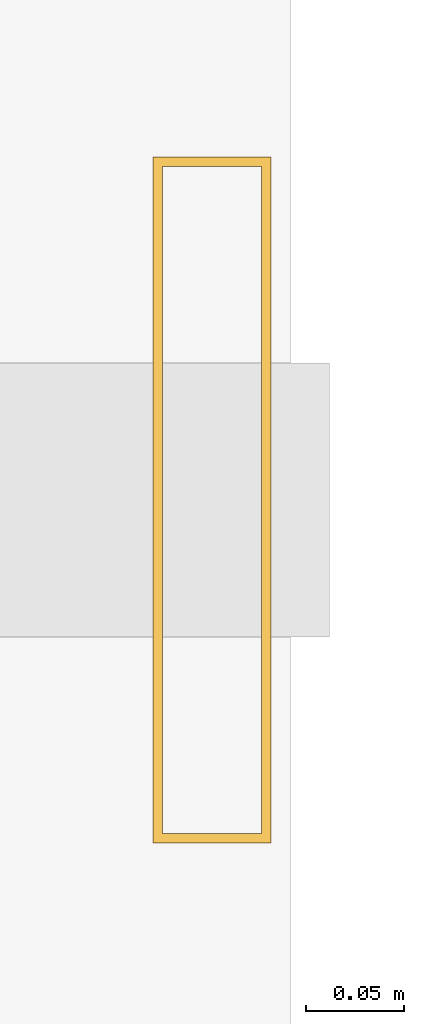
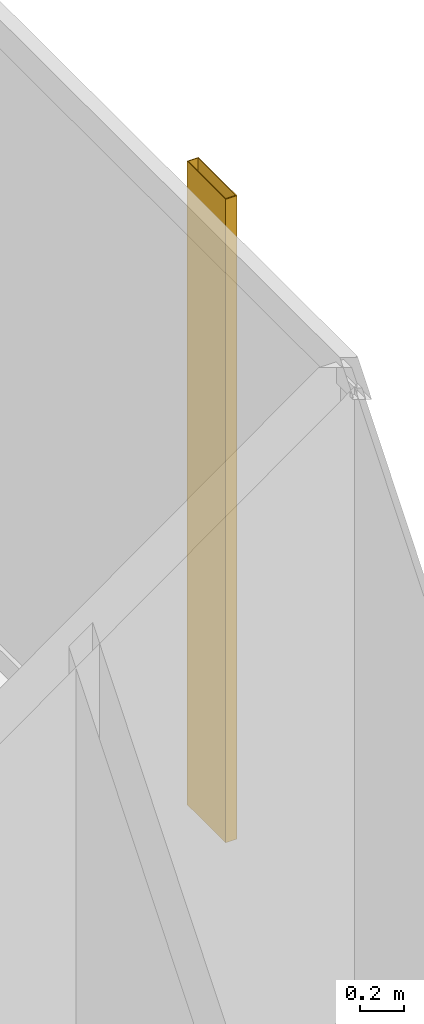
# One storey, part 26 of 26: 1 shading device.
"""IFC4 building model written with IfcOpenShell, lengths in metres."""

from ifc_helpers import new_model, si_unit, direction, frame, origin, origin_2d, place, context, subcontext, project, spatial, hollow_rectangle, extrude, material, material_profile, profile_set, type_object, element, save


model = new_model("IFC4")

# Units and contexts
model_context = context("Model", 3, precision=1e-05, world=origin(), true_north=direction((0.0, 1.0)))
body_context = subcontext(model_context, "Body", "Model", "MODEL_VIEW")
ifc_project = project(units=[si_unit("LENGTHUNIT", "METRE"), si_unit("AREAUNIT", "SQUARE_METRE"), si_unit("VOLUMEUNIT", "CUBIC_METRE"), si_unit("PLANEANGLEUNIT", "RADIAN"), si_unit("MASSUNIT", "GRAM", prefix="KILO")], contexts=[model_context])

# Site, building, storey
site_placement = place(None, origin())
site = spatial("IfcSite", under=ifc_project, at=site_placement, CompositionType="ELEMENT")
building_placement = place(site_placement, origin())
building = spatial("IfcBuilding", under=site, at=building_placement, Name="Kolvaren Waterfront Exchange", CompositionType="ELEMENT")
storey_placement = place(building_placement, frame((0.0, 0.0, 150.0)))
storey = spatial("IfcBuildingStorey", under=building, at=storey_placement, Name="L38", CompositionType="ELEMENT", Elevation=150.0)

# Shading device
ifc_material = material(Name="Anodised bronze aluminium 6063-T6", Category="aluminium")
ifc_material_profile = material_profile(ifc_material, hollow_rectangle(XDim=0.06005859375, YDim=0.35009765625, WallThickness=0.0048828125, at=origin_2d()), Name="BRZ-FIN-350x60x5")
ifc_profile_set = profile_set([ifc_material_profile], Name="Anodised bronze aluminium 6063-T6")
shading_device_type = type_object("IfcShadingDeviceType", Name="ARC-FIN-350", PredefinedType="USERDEFINED", material=ifc_profile_set)
shading_device_placement = place(storey_placement, frame((22.56005859375, 38.39990234375, 0.0), z_axis=(0.0, 0.0, 1.0), x_axis=(1.0, 0.0, 0.0)))
element("IfcShadingDevice", 1, at=shading_device_placement, inside=storey, type_object=shading_device_type, Name="L38 anodised bronze solar shading fin FIN-L38-E3", ObjectType="SOLAR FIN", PredefinedType="USERDEFINED", context=body_context, shape_type="SweptSolid", body=[
    extrude(hollow_rectangle(XDim=0.06005859375, YDim=0.35009765625, WallThickness=0.0048828125, at=origin_2d()), origin(), (0.0, 0.0, 1.0), 3.56005859375),
])

save(model, "model.ifc")
